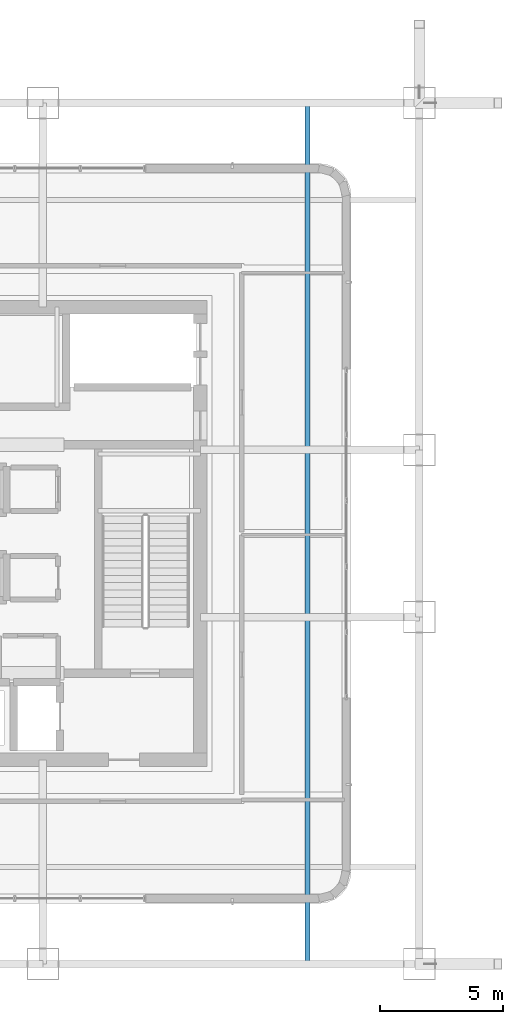
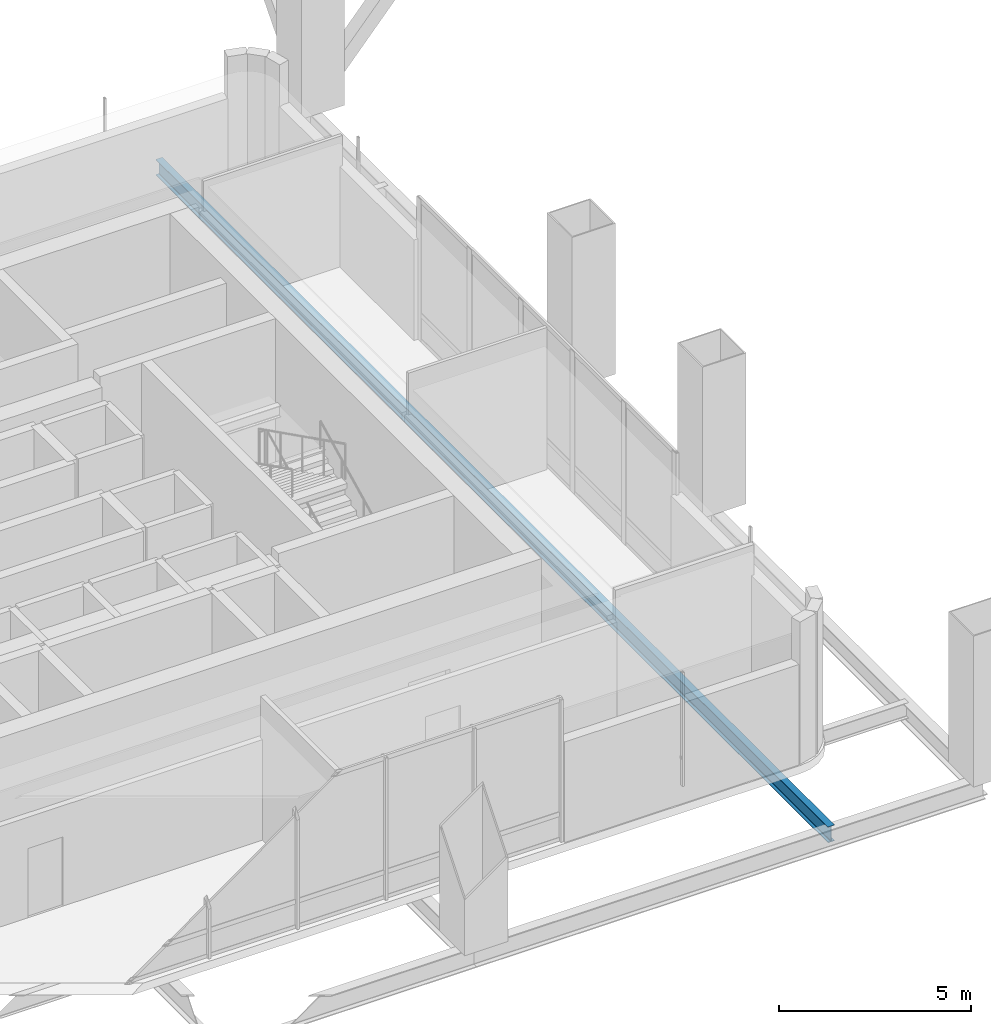
# One storey, part 13 of 33: 1 beam.
"""IFC4 building model written with IfcOpenShell, lengths in metres."""

from ifc_helpers import new_model, si_unit, direction, frame, origin, origin_2d, place, context, subcontext, project, spatial, i_section, extrude, material, material_profile, profile_set, type_object, element, save


model = new_model("IFC4")

# Units and contexts
model_context = context("Model", 3, precision=1e-05, world=origin(), true_north=direction((0.0, 1.0)))
body_context = subcontext(model_context, "Body", "Model", "MODEL_VIEW")
ifc_project = project(units=[si_unit("LENGTHUNIT", "METRE"), si_unit("AREAUNIT", "SQUARE_METRE"), si_unit("VOLUMEUNIT", "CUBIC_METRE"), si_unit("PLANEANGLEUNIT", "RADIAN"), si_unit("MASSUNIT", "GRAM", prefix="KILO")], contexts=[model_context])

# Site, building, storey
site_placement = place(None, origin())
site = spatial("IfcSite", under=ifc_project, at=site_placement, CompositionType="ELEMENT")
building_placement = place(site_placement, origin())
building = spatial("IfcBuilding", under=site, at=building_placement, Name="Punatoya Terracotta Tower", CompositionType="ELEMENT")
storey_placement = place(building_placement, frame((0.0, 0.0, 246.60009765625)))
storey = spatial("IfcBuildingStorey", under=building, at=storey_placement, Name="L58", CompositionType="ELEMENT", Elevation=246.60009765625)

# Beam
ifc_material = material(Name="Steel S355", Category="steel")
ifc_material_profile = material_profile(ifc_material, i_section(OverallWidth=0.199951171875, OverallDepth=0.5, WebThickness=0.01025390625, FlangeThickness=0.01611328125, FilletRadius=0.01806640625, at=origin_2d()))
ifc_profile_set = profile_set([ifc_material_profile], Name="Steel S355")
beam_type = type_object("IfcBeamType", Name="BM-SPN-500", PredefinedType="SPANDREL", material=ifc_profile_set)
beam_placement = place(storey_placement, frame((14.550048828125, -17.5, -0.510009765625), z_axis=(0.0, 1.0, 0.0), x_axis=(-1.0, 0.0, 0.0)))
element("IfcBeam", 1, at=beam_placement, inside=storey, type_object=beam_type, Name="BM-L58-NCK-E", PredefinedType="SPANDREL", context=body_context, shape_type="SweptSolid", body=[
    extrude(i_section(OverallWidth=0.199951171875, OverallDepth=0.5, WebThickness=0.01025390625, FlangeThickness=0.01611328125, FilletRadius=0.01806640625, at=origin_2d()), origin(), (0.0, 0.0, 1.0), 35.0),
])

save(model, "model.ifc")
